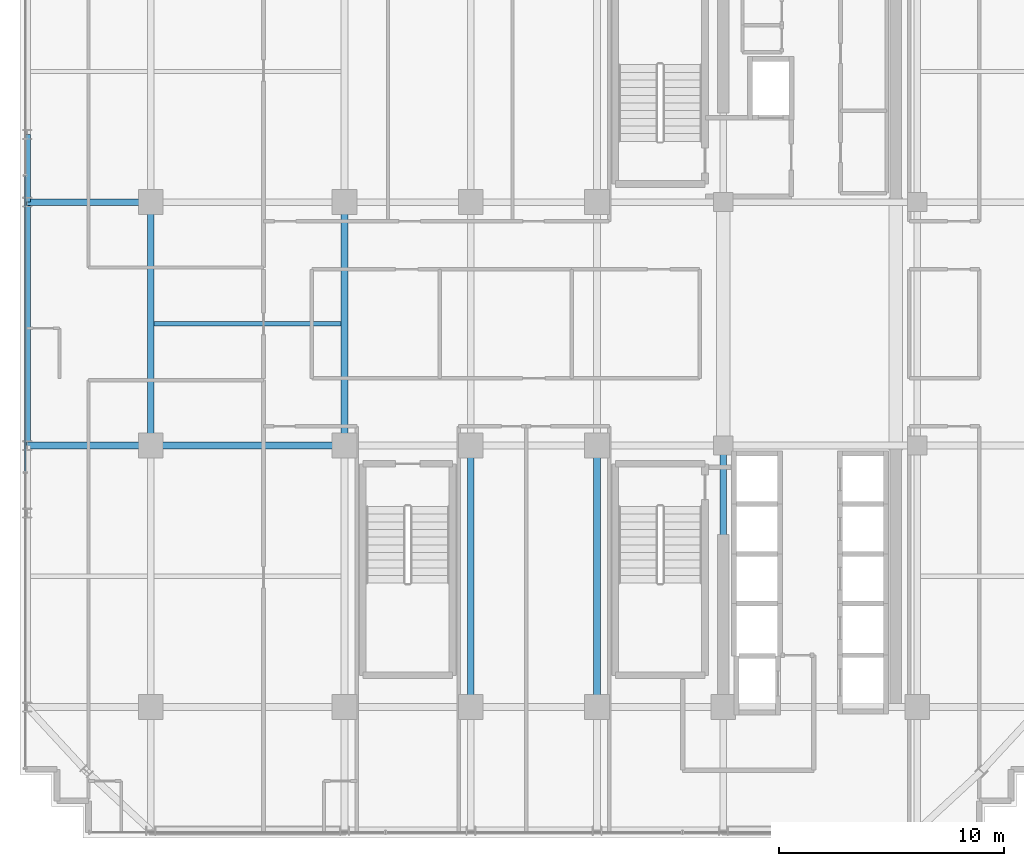
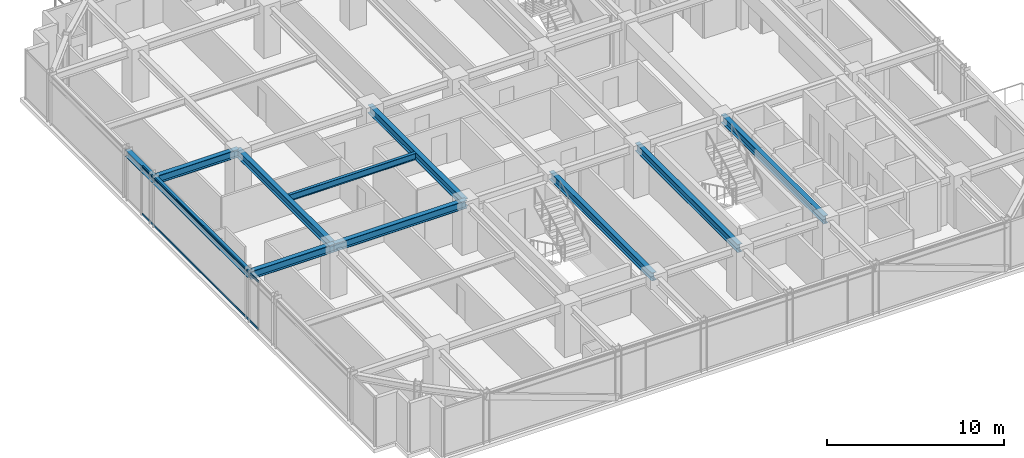
# One storey, part 7 of 29: 11 beams, 2 members, 1 element without a shape of its own.
"""IFC4 building model written with IfcOpenShell, lengths in metres."""

from ifc_helpers import new_model, si_unit, direction, frame, origin, origin_2d, place, context, subcontext, project, spatial, hollow_rectangle, i_section, extrude, source, transform, mapped, material, material_profile, profile_set, type_object, element, aggregate, save


model = new_model("IFC4")

# Units and contexts
model_context = context("Model", 3, precision=1e-05, world=origin(), true_north=direction((0.0, 1.0)))
body_context = subcontext(model_context, "Body", "Model", "MODEL_VIEW")
ifc_project = project(units=[si_unit("LENGTHUNIT", "METRE"), si_unit("AREAUNIT", "SQUARE_METRE"), si_unit("VOLUMEUNIT", "CUBIC_METRE"), si_unit("PLANEANGLEUNIT", "RADIAN"), si_unit("MASSUNIT", "GRAM", prefix="KILO")], contexts=[model_context])

# Site, building, storey
site_placement = place(None, origin())
site = spatial("IfcSite", under=ifc_project, at=site_placement, CompositionType="ELEMENT")
building_placement = place(site_placement, origin())
building = spatial("IfcBuilding", under=site, at=building_placement, Name="Nahalor Promenade Grand Hotel", CompositionType="ELEMENT")
storey_placement = place(building_placement, frame((0.0, 0.0, 189.14990234375)))
storey = spatial("IfcBuildingStorey", under=building, at=storey_placement, Name="L48", CompositionType="ELEMENT", Elevation=189.14990234375)

# Beams
ifc_material_1 = material(Name="Steel S355JR", Category="steel")
ifc_material_profile_1 = material_profile(ifc_material_1, i_section(OverallWidth=0.3, OverallDepth=0.55, WebThickness=0.015, FlangeThickness=0.029, at=origin_2d()), Name="HEB 550")
ifc_profile_set_1 = profile_set([ifc_material_profile_1], Name="Steel S355JR")
beam_type_1 = type_object("IfcBeamType", Name="Beam-Girder-HEB550", PredefinedType="BEAM", material=ifc_profile_set_1)
shared_shape_1 = source(origin(), body_context, "Body", "SweptSolid", [
    extrude(i_section(OverallWidth=0.3, OverallDepth=0.55, WebThickness=0.015, FlangeThickness=0.029, at=origin_2d()), origin(), (0.0, 0.0, 1.0), 8.60009765625),
])
beam_1_placement = place(storey_placement, frame((-17.0, -5.39990234375, 3.114990234375), z_axis=(1.0, 0.0, 0.0), x_axis=(0.0, 1.0, 0.0)))
element("IfcBeam", 1, at=beam_1_placement, inside=storey, type_object=beam_type_1, Name="BM-L48-GX-1-1", PredefinedType="BEAM", context=body_context, shape_type="MappedRepresentation", body=[
    mapped(shared_shape_1, transform((0.0, 0.0, 0.0), scale=1.0)),
])
shared_shape_2 = source(origin(), body_context, "Body", "SweptSolid", [
    extrude(i_section(OverallWidth=0.3, OverallDepth=0.55, WebThickness=0.015, FlangeThickness=0.029, at=origin_2d()), origin(), (0.0, 0.0, 1.0), 11.60009765625),
])
for number, where, z_axis, x_axis, name in (
    (2, (-2.800048828125, -17.0, 3.114990234375), (0.0, 1.0, 0.0), (-1.0, 0.0, 0.0), "BM-L48-GY-2-1"),
    (3, (2.800048828125, -17.0, 3.114990234375), (0.0, 1.0, 0.0), (-1.0, 0.0, 0.0), "BM-L48-GY-3-1"),
    (4, (8.39990234375, -17.0, 3.114990234375), (0.0, 1.0, 0.0), (-1.0, 0.0, 0.0), "BM-L48-GY-4-1"),
):
    element("IfcBeam", number, at=place(storey_placement, frame(where, z_axis=z_axis, x_axis=x_axis)), inside=storey, type_object=beam_type_1, Name=name, PredefinedType="BEAM", context=body_context, shape_type="MappedRepresentation", body=[
        mapped(shared_shape_2, transform((0.0, 0.0, 0.0), scale=1.0)),
    ])
shared_shape_3 = source(origin(), body_context, "Body", "SweptSolid", [
    extrude(i_section(OverallWidth=0.3, OverallDepth=0.55, WebThickness=0.015, FlangeThickness=0.029, at=origin_2d()), origin(), (0.0, 0.0, 1.0), 10.7998046875),
])
for number, where, z_axis, x_axis, name in (
    (5, (-17.0, -5.39990234375, 3.114990234375), (0.0, 1.0, 0.0), (-1.0, 0.0, 0.0), "BM-L48-GY-0-2"),
    (6, (-8.39990234375, -5.39990234375, 3.114990234375), (0.0, 1.0, 0.0), (-1.0, 0.0, 0.0), "BM-L48-GY-1-2"),
):
    element("IfcBeam", number, at=place(storey_placement, frame(where, z_axis=z_axis, x_axis=x_axis)), inside=storey, type_object=beam_type_1, Name=name, PredefinedType="BEAM", context=body_context, shape_type="MappedRepresentation", body=[
        mapped(shared_shape_3, transform((0.0, 0.0, 0.0), scale=1.0)),
    ])
ifc_material_profile_2 = material_profile(ifc_material_1, i_section(OverallWidth=0.19, OverallDepth=0.45, WebThickness=0.0094, FlangeThickness=0.0146, at=origin_2d()), Name="IPE 450")
ifc_profile_set_2 = profile_set([ifc_material_profile_2], Name="Steel S355JR")
beam_type_2 = type_object("IfcBeamType", Name="Beam-Joist-IPE450", PredefinedType="JOIST", material=ifc_profile_set_2)
shared_shape_4 = source(origin(), body_context, "Body", "SweptSolid", [
    extrude(i_section(OverallWidth=0.19, OverallDepth=0.45, WebThickness=0.0094, FlangeThickness=0.0146, at=origin_2d()), origin(), (0.0, 0.0, 1.0), 8.300048828125),
])
beam_2_placement = place(storey_placement, frame((-16.85009765625, 0.0, 3.1650390625), z_axis=(1.0, 0.0, 0.0), x_axis=(0.0, 1.0, 0.0)))
element("IfcBeam", 7, at=beam_2_placement, inside=storey, type_object=beam_type_2, Name="BM-L48-JSC-0", PredefinedType="JOIST", context=body_context, shape_type="MappedRepresentation", body=[
    mapped(shared_shape_4, transform((0.0, 0.0, 0.0), scale=1.0)),
])
shared_shape_5 = source(origin(), body_context, "Body", "SweptSolid", [
    extrude(i_section(OverallWidth=0.3, OverallDepth=0.55, WebThickness=0.015, FlangeThickness=0.029, at=origin_2d()), origin(), (0.0, 0.0, 1.0), 5.47998046875),
])
for number, where, z_axis, x_axis, name in (
    (8, (-22.47998046875, -5.39990234375, 3.114990234375), (1.0, 0.0, 0.0), (0.0, 1.0, 0.0), "BM-L48-GX-1-0"),
    (9, (-22.47998046875, 5.39990234375, 3.114990234375), (1.0, 0.0, 0.0), (0.0, 1.0, 0.0), "BM-L48-GX-2-0"),
):
    element("IfcBeam", number, at=place(storey_placement, frame(where, z_axis=z_axis, x_axis=x_axis)), inside=storey, type_object=beam_type_1, Name=name, PredefinedType="BEAM", context=body_context, shape_type="MappedRepresentation", body=[
        mapped(shared_shape_5, transform((0.0, 0.0, 0.0), scale=1.0)),
    ])
ifc_material_profile_3 = material_profile(ifc_material_1, i_section(OverallWidth=0.3, OverallDepth=0.45, WebThickness=0.014, FlangeThickness=0.026, at=origin_2d()), Name="HEB 450")
ifc_profile_set_3 = profile_set([ifc_material_profile_3], Name="Steel S355JR")
beam_type_3 = type_object("IfcBeamType", Name="Beam-Spandrel-HEB450", PredefinedType="SPANDREL", material=ifc_profile_set_3)
shared_shape_6 = source(origin(), body_context, "Body", "SweptSolid", [
    extrude(i_section(OverallWidth=0.3, OverallDepth=0.45, WebThickness=0.014, FlangeThickness=0.026, at=origin_2d()), origin(), (0.0, 0.0, 1.0), 3.0),
])
beam_3_placement = place(storey_placement, frame((-22.47998046875, 5.39990234375, 3.1650390625), z_axis=(0.0, 1.0, 0.0), x_axis=(-1.0, 0.0, 0.0)))
element("IfcBeam", 10, at=beam_3_placement, inside=storey, type_object=beam_type_3, Name="BM-L48-SP-W-3", PredefinedType="SPANDREL", context=body_context, shape_type="MappedRepresentation", body=[
    mapped(shared_shape_6, transform((0.0, 0.0, 0.0), scale=1.0)),
])
shared_shape_7 = source(origin(), body_context, "Body", "SweptSolid", [
    extrude(i_section(OverallWidth=0.3, OverallDepth=0.45, WebThickness=0.014, FlangeThickness=0.026, at=origin_2d()), origin(), (0.0, 0.0, 1.0), 10.7998046875),
])
beam_4_placement = place(storey_placement, frame((-22.47998046875, -5.39990234375, 3.1650390625), z_axis=(0.0, 1.0, 0.0), x_axis=(-1.0, 0.0, 0.0)))
element("IfcBeam", 11, at=beam_4_placement, inside=storey, type_object=beam_type_3, Name="BM-L48-SP-W-2", PredefinedType="SPANDREL", context=body_context, shape_type="MappedRepresentation", body=[
    mapped(shared_shape_7, transform((0.0, 0.0, 0.0), scale=1.0)),
])

# Curtain wall, members
ifc_material_2 = material(Name="Anodised Bronze Aluminium EN AW-6063 T6", Category="aluminium")
curtain_wall_type = type_object("IfcCurtainWallType", Name="CW2 Typical Hotel Flush Bronze Unitised Curtain Wall", PredefinedType="USERDEFINED", material=ifc_material_2)
curtain_wall_placement = place(storey_placement, origin())
curtain_wall = element("IfcCurtainWall", 12, at=curtain_wall_placement, inside=storey, type_object=curtain_wall_type, Name="L48 Curtain Wall CW-L48-W-1", ObjectType="UNITISED_CURTAIN_WALL", PredefinedType="USERDEFINED")
ifc_material_profile_4 = material_profile(ifc_material_2, hollow_rectangle(XDim=0.065, YDim=0.13, WallThickness=0.004, at=origin_2d()), Name="CWT 65x130x4")
ifc_profile_set_4 = profile_set([ifc_material_profile_4], Name="Anodised Bronze Aluminium EN AW-6063 T6")
member_type = type_object("IfcMemberType", Name="CWT2 Typical Bronze Transom 65x130", PredefinedType="USERDEFINED", material=ifc_profile_set_4)
shared_shape_8 = source(origin(), body_context, "Body", "SweptSolid", [
    extrude(hollow_rectangle(XDim=0.065, YDim=0.13, WallThickness=0.004, at=origin_2d()), origin(), (0.0, 0.0, 1.0), 13.1083984375),
])
member_1_placement = place(storey_placement, frame((-22.56005859375, -6.55419921875, 0.065185546875), z_axis=(0.0, 1.0, 0.0), x_axis=(-1.0, 0.0, 0.0)))
member_1 = element("IfcMember", 13, at=member_1_placement, type_object=member_type, Name="CW-L48-W-1 Transom 1-0", ObjectType="TRANSOM", PredefinedType="USERDEFINED", context=body_context, shape_type="MappedRepresentation", body=[
    mapped(shared_shape_8, transform((0.0, 0.0, 0.0), scale=1.0)),
])
member_2_placement = place(storey_placement, frame((-22.56005859375, -6.55419921875, 3.3251953125), z_axis=(0.0, 1.0, 0.0), x_axis=(-1.0, 0.0, 0.0)))
member_2 = element("IfcMember", 14, at=member_2_placement, type_object=member_type, Name="CW-L48-W-1 Transom 1-1", ObjectType="TRANSOM", PredefinedType="USERDEFINED", context=body_context, shape_type="MappedRepresentation", body=[
    mapped(shared_shape_8, transform((0.0, 0.0, 0.0), scale=1.0)),
])
aggregate(curtain_wall, [member_1, member_2])

save(model, "model.ifc")
